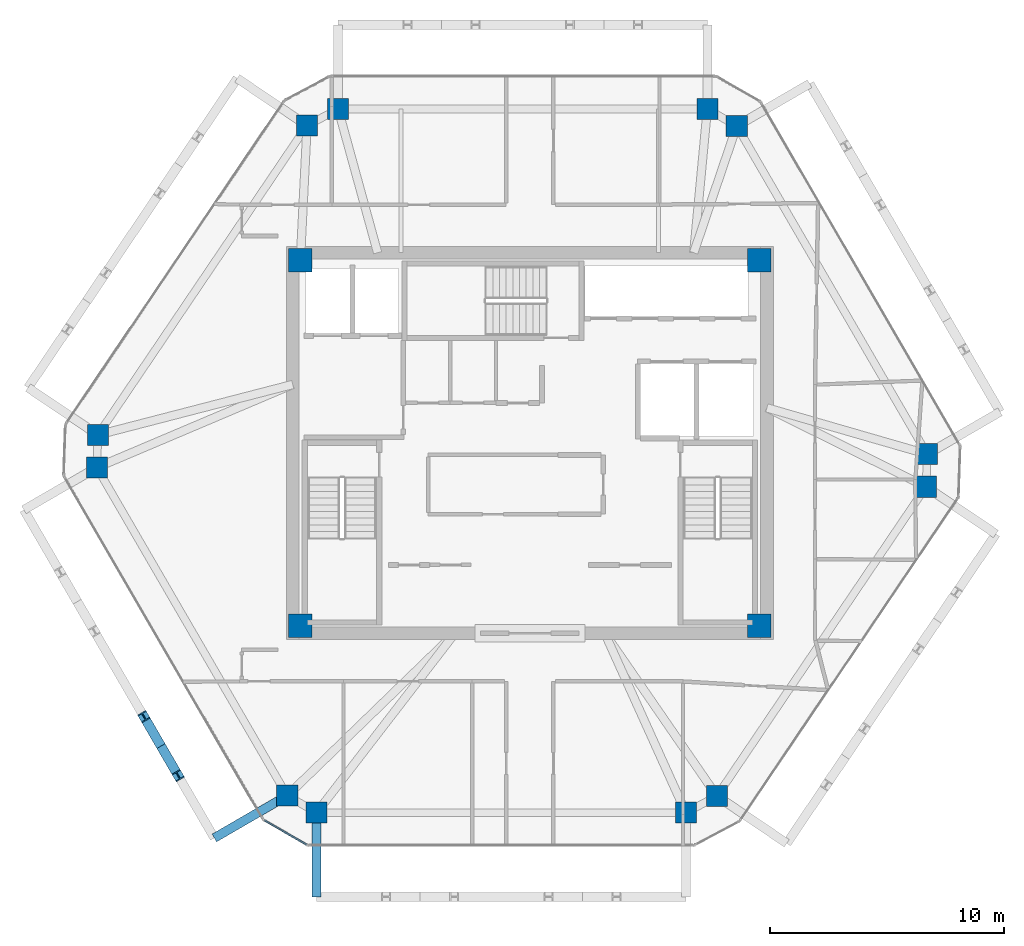
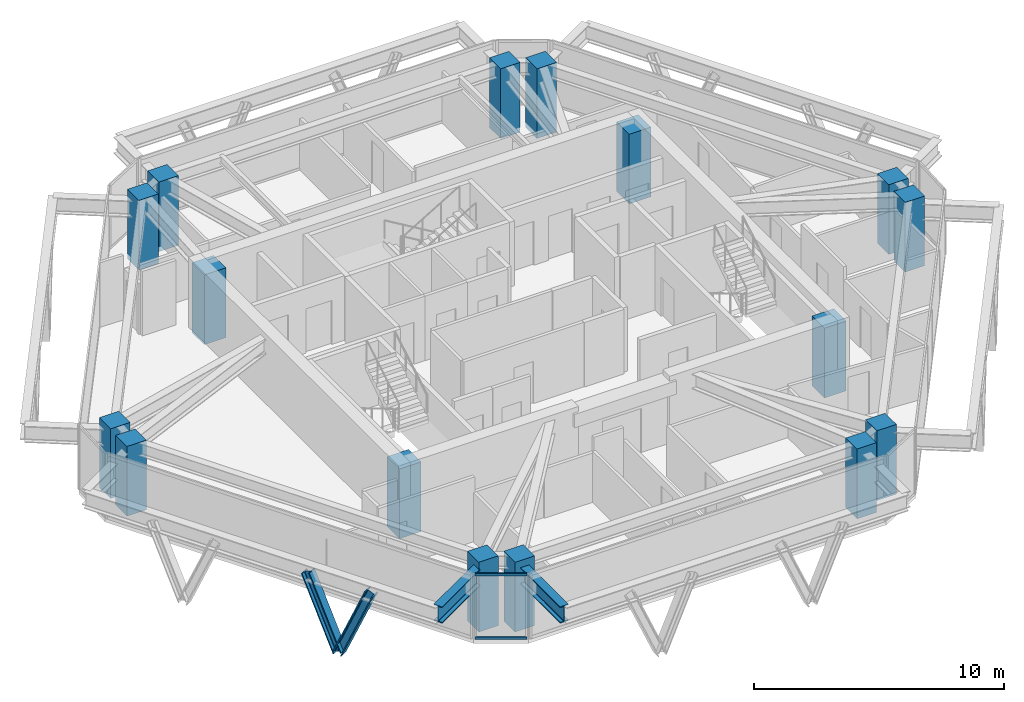
# One storey, part 1 of 11: 16 columns, 4 members, 2 beams, 1 element without a shape of its own.
"""IFC4 building model written with IfcOpenShell, lengths in metres."""

from ifc_helpers import new_model, si_unit, direction, frame, origin, origin_2d, place, context, subcontext, project, spatial, rectangle, i_section, extrude, source, transform, mapped, material, layer, layer_set, material_profile, profile_set, type_object, type_shapes, element, aggregate, save


model = new_model("IFC4")

# Units and contexts
model_context = context("Model", 3, precision=1e-05, world=origin(), true_north=direction((0.0, 1.0)))
body_context = subcontext(model_context, "Body", "Model", "MODEL_VIEW")
ifc_project = project(units=[si_unit("LENGTHUNIT", "METRE"), si_unit("AREAUNIT", "SQUARE_METRE"), si_unit("VOLUMEUNIT", "CUBIC_METRE"), si_unit("PLANEANGLEUNIT", "RADIAN"), si_unit("MASSUNIT", "GRAM", prefix="KILO")], contexts=[model_context])

# Site, building, storey
site_placement = place(None, origin())
site = spatial("IfcSite", under=ifc_project, at=site_placement, CompositionType="ELEMENT")
building_placement = place(site_placement, origin())
building = spatial("IfcBuilding", under=site, at=building_placement, Name="Durnholm Broadcast Tower", CompositionType="ELEMENT")
storey_placement = place(building_placement, frame((0.0, 0.0, 258.10009765625)))
storey = spatial("IfcBuildingStorey", under=building, at=storey_placement, Name="L72", CompositionType="ELEMENT", Elevation=258.10009765625)

# Columns
ifc_material_1 = material(Name="Concrete C70/85", Category="concrete")
ifc_material_profile_1 = material_profile(ifc_material_1, rectangle(XDim=1.0, YDim=1.0, at=origin_2d()), Name="RC1000X1000")
ifc_profile_set_1 = profile_set([ifc_material_profile_1], Name="Concrete C70/85")
column_type_1 = type_object("IfcColumnType", Name="COL-CC-1000", PredefinedType="COLUMN", material=ifc_profile_set_1)
shared_shape_1 = source(origin(), body_context, "Body", "SweptSolid", [
    extrude(rectangle(XDim=1.0, YDim=1.0, at=origin_2d()), origin(), (0.0, 0.0, 1.0), 3.39990234375),
])
type_shapes(column_type_1, [shared_shape_1])
for number, where, z_axis, x_axis, name in (
    (1, (-9.800048828125, -7.800048828125, -0.239990234375), (0.0, 0.0, 1.0), (1.0, 0.0, 0.0), "L72 core corner column 1"),
    (2, (9.800048828125, -7.800048828125, -0.239990234375), (0.0, 0.0, 1.0), (1.0, 0.0, 0.0), "L72 core corner column 2"),
    (3, (9.800048828125, 7.800048828125, -0.239990234375), (0.0, 0.0, 1.0), (1.0, 0.0, 0.0), "L72 core corner column 3"),
    (4, (-9.800048828125, 7.800048828125, -0.239990234375), (0.0, 0.0, 1.0), (1.0, 0.0, 0.0), "L72 core corner column 4"),
):
    element("IfcColumn", number, at=place(storey_placement, frame(where, z_axis=z_axis, x_axis=x_axis)), inside=storey, type_object=column_type_1, Name=name, PredefinedType="COLUMN", context=body_context, shape_type="MappedRepresentation", body=[
        mapped(shared_shape_1, transform((0.0, 0.0, 0.0), x_axis=(1.0, 0.0, 0.0), y_axis=(0.0, 1.0, 0.0), z_axis=(0.0, 0.0, 1.0), scale=1.0)),
    ])
ifc_material_profile_2 = material_profile(ifc_material_1, rectangle(XDim=0.89990234375, YDim=0.89990234375, at=origin_2d()), Name="RC900X900")
ifc_profile_set_2 = profile_set([ifc_material_profile_2], Name="Concrete C70/85")
column_type_2 = type_object("IfcColumnType", Name="COL-CC-900", PredefinedType="COLUMN", material=ifc_profile_set_2)
shared_shape_2 = source(origin(), body_context, "Body", "SweptSolid", [
    extrude(rectangle(XDim=0.89990234375, YDim=0.89990234375, at=origin_2d()), origin(), (0.0, 0.0, 1.0), 3.39990234375),
])
type_shapes(column_type_2, [shared_shape_2])
for number, where, z_axis, x_axis, name in (
    (5, (-10.361328125, -15.061767578125, -0.239990234375), (0.0, 0.0, 1.0), (1.0, 0.0, 0.0), "L72 perimeter hexagonal tube column 01"),
    (6, (-18.494384765625, -1.0478515625, -0.239990234375), (0.0, 0.0, 1.0), (1.0, 0.0, 0.0), "L72 perimeter hexagonal tube column 02"),
    (7, (-18.4462890625, 0.345947265625, -0.239990234375), (0.0, 0.0, 1.0), (1.0, 0.0, 0.0), "L72 perimeter hexagonal tube column 03"),
    (8, (-9.514892578125, 13.557373046875, -0.239990234375), (0.0, 0.0, 1.0), (1.0, 0.0, 0.0), "L72 perimeter hexagonal tube column 04"),
    (9, (-8.187744140625, 14.261962890625, -0.239990234375), (0.0, 0.0, 1.0), (1.0, 0.0, 0.0), "L72 perimeter hexagonal tube column 05"),
    (10, (7.57958984375, 14.261962890625, -0.239990234375), (0.0, 0.0, 1.0), (1.0, 0.0, 0.0), "L72 perimeter hexagonal tube column 06"),
    (11, (8.83740234375, 13.53759765625, -0.239990234375), (0.0, 0.0, 1.0), (1.0, 0.0, 0.0), "L72 perimeter hexagonal tube column 07"),
    (12, (16.97021484375, -0.47607421875, -0.239990234375), (0.0, 0.0, 1.0), (1.0, 0.0, 0.0), "L72 perimeter hexagonal tube column 08"),
    (13, (16.92236328125, -1.869873046875, -0.239990234375), (0.0, 0.0, 1.0), (1.0, 0.0, 0.0), "L72 perimeter hexagonal tube column 09"),
    (14, (7.990966796875, -15.081298828125, -0.239990234375), (0.0, 0.0, 1.0), (1.0, 0.0, 0.0), "L72 perimeter hexagonal tube column 10"),
    (15, (6.663818359375, -15.785888671875, -0.239990234375), (0.0, 0.0, 1.0), (1.0, 0.0, 0.0), "L72 perimeter hexagonal tube column 11"),
    (16, (-9.103759765625, -15.785888671875, -0.239990234375), (0.0, 0.0, 1.0), (1.0, 0.0, 0.0), "L72 perimeter hexagonal tube column 12"),
):
    element("IfcColumn", number, at=place(storey_placement, frame(where, z_axis=z_axis, x_axis=x_axis)), inside=storey, type_object=column_type_2, Name=name, PredefinedType="COLUMN", context=body_context, shape_type="MappedRepresentation", body=[
        mapped(shared_shape_2, transform((0.0, 0.0, 0.0), x_axis=(1.0, 0.0, 0.0), y_axis=(0.0, 1.0, 0.0), z_axis=(0.0, 0.0, 1.0), scale=1.0)),
    ])

# Beams
ifc_material_2 = material(Name="Steel ASTM A992 Grade 50", Category="steel")
ifc_material_profile_3 = material_profile(ifc_material_2, i_section(OverallWidth=0.385009765625, OverallDepth=0.802978515625, WebThickness=0.023681640625, FlangeThickness=0.0419921875, FilletRadius=0.032958984375, at=origin_2d()), Name="W30X261")
ifc_profile_set_3 = profile_set([ifc_material_profile_3], Name="Steel ASTM A992 Grade 50")
beam_type = type_object("IfcBeamType", Name="BM-EXO-TIE", PredefinedType="USERDEFINED", material=ifc_profile_set_3)
shared_shape_3 = source(origin(), body_context, "Body", "SweptSolid", [
    extrude(i_section(OverallWidth=0.385009765625, OverallDepth=0.802978515625, WebThickness=0.023681640625, FlangeThickness=0.0419921875, FilletRadius=0.032958984375, at=origin_2d()), origin(), (0.0, 0.0, 1.0), 3.4560546875),
])
type_shapes(beam_type, [shared_shape_3])
for number, where, z_axis, x_axis, name in (
    (17, (-9.103759765625, -15.929931640625, 2.408447265625), (0.0, -1.0, 0.0), (1.0, 0.0, 0.0), "L72 exoskeleton stand-off tie bracket F1.1"),
    (18, (-10.48583984375, -15.134033203125, 2.408447265625), (-0.864924479231, -0.501902027518, 0.0), (0.501902027518, -0.864924479231, 0.0), "L72 exoskeleton stand-off tie bracket F6.2"),
):
    element("IfcBeam", number, at=place(storey_placement, frame(where, z_axis=z_axis, x_axis=x_axis)), inside=storey, type_object=beam_type, Name=name, ObjectType="GIRDER", PredefinedType="USERDEFINED", context=body_context, shape_type="MappedRepresentation", body=[
        mapped(shared_shape_3, transform((0.0, 0.0, 0.0), x_axis=(1.0, 0.0, 0.0), y_axis=(0.0, 1.0, 0.0), z_axis=(0.0, 0.0, 1.0), scale=1.0)),
    ])

# Members
ifc_material_3 = material(Name="Steel ASTM A913 Grade 65", Category="steel")
ifc_material_profile_4 = material_profile(ifc_material_3, i_section(OverallWidth=0.40625, OverallDepth=0.416015625, WebThickness=0.02978515625, FlangeThickness=0.048095703125, FilletRadius=0.030517578125, at=origin_2d()), Name="W14X257")
ifc_profile_set_4 = profile_set([ifc_material_profile_4], Name="Steel ASTM A913 Grade 65")
member_type_1 = type_object("IfcMemberType", Name="STL-DG-W14X257", PredefinedType="BRACE", material=ifc_profile_set_4)
shared_shape_4 = source(origin(), body_context, "Body", "SweptSolid", [
    extrude(i_section(OverallWidth=0.40625, OverallDepth=0.416015625, WebThickness=0.02978515625, FlangeThickness=0.048095703125, FilletRadius=0.030517578125, at=origin_2d()), origin(), (0.0, 0.0, 1.0), 3.69970703125),
])
type_shapes(member_type_1, [shared_shape_4])
for number, where, z_axis, x_axis, name in (
    (19, (-15.752197265625, -12.94482421875, -0.99169921875), (-0.197838495728, 0.340905159749, 0.919044939959), (-0.864906184135, -0.501933554014, 0.0), "L72 stand-off diagrid brace F6.D2.1"),
    (20, (-15.752197265625, -12.94482421875, -0.99169921875), (0.197838495728, -0.340905159749, 0.919044939959), (0.864906184135, 0.501933554014, 0.0), "L72 stand-off diagrid brace F6.D2.2"),
):
    element("IfcMember", number, at=place(storey_placement, frame(where, z_axis=z_axis, x_axis=x_axis)), inside=storey, type_object=member_type_1, Name=name, PredefinedType="BRACE", context=body_context, shape_type="MappedRepresentation", body=[
        mapped(shared_shape_4, transform((0.0, 0.0, 0.0), x_axis=(1.0, 0.0, 0.0), y_axis=(0.0, 1.0, 0.0), z_axis=(0.0, 0.0, 1.0), scale=1.0)),
    ])

# Curtain wall, members
ifc_material_4 = material(Name="Aluminium and Solar Control IGU", Category="aluminium")
ifc_layer = layer(ifc_material_4, 0.1650390625)
ifc_layer_set = layer_set([ifc_layer], Name="Aluminium and Solar Control IGU")
curtain_wall_type = type_object("IfcCurtainWallType", Name="CW-SYS-5", PredefinedType="NOTDEFINED", material=ifc_layer_set)
curtain_wall_placement = place(storey_placement, origin())
curtain_wall = element("IfcCurtainWall", 21, at=curtain_wall_placement, inside=storey, type_object=curtain_wall_type, Name="L72 curtain wall CW-CORNER CW-L72-CRN-11", PredefinedType="NOTDEFINED")
ifc_material_5 = material(Name="Aluminium 6063-T6", Category="aluminium")
ifc_material_profile_5 = material_profile(ifc_material_5, rectangle(XDim=0.06494140625, YDim=0.1298828125, at=origin_2d()), Name="CWT65X130")
ifc_profile_set_5 = profile_set([ifc_material_profile_5], Name="Aluminium 6063-T6")
member_type_2 = type_object("IfcMemberType", Name="CW-SYS-5-TRN", PredefinedType="USERDEFINED", material=ifc_profile_set_5)
shared_shape_5 = source(origin(), body_context, "Body", "SweptSolid", [
    extrude(rectangle(XDim=0.06494140625, YDim=0.1298828125, at=origin_2d()), origin(), (0.0, 0.0, 1.0), 2.06982421875),
])
type_shapes(member_type_2, [shared_shape_5])
member_1_placement = place(storey_placement, frame((-9.534423828125, -17.153564453125, 0.032470703125), z_axis=(-0.866576086718, 0.499044973854, 0.0), x_axis=(-0.499044973854, -0.866576086718, 0.0)))
member_1 = element("IfcMember", 22, at=member_1_placement, type_object=member_type_2, Name="CW-CORNER transom 1.1", ObjectType="TRANSOM", PredefinedType="USERDEFINED", context=body_context, shape_type="MappedRepresentation", body=[
    mapped(shared_shape_5, transform((0.0, 0.0, 0.0), x_axis=(1.0, 0.0, 0.0), y_axis=(0.0, 1.0, 0.0), z_axis=(0.0, 0.0, 1.0), scale=1.0)),
])
member_2_placement = place(storey_placement, frame((-9.534423828125, -17.153564453125, 3.12744140625), z_axis=(-0.866576086718, 0.499044973854, 0.0), x_axis=(-0.499044973854, -0.866576086718, 0.0)))
member_2 = element("IfcMember", 23, at=member_2_placement, type_object=member_type_2, Name="CW-CORNER transom 1.2", ObjectType="TRANSOM", PredefinedType="USERDEFINED", context=body_context, shape_type="MappedRepresentation", body=[
    mapped(shared_shape_5, transform((0.0, 0.0, 0.0), x_axis=(1.0, 0.0, 0.0), y_axis=(0.0, 1.0, 0.0), z_axis=(0.0, 0.0, 1.0), scale=1.0)),
])
aggregate(curtain_wall, [member_1, member_2])

save(model, "model.ifc")
